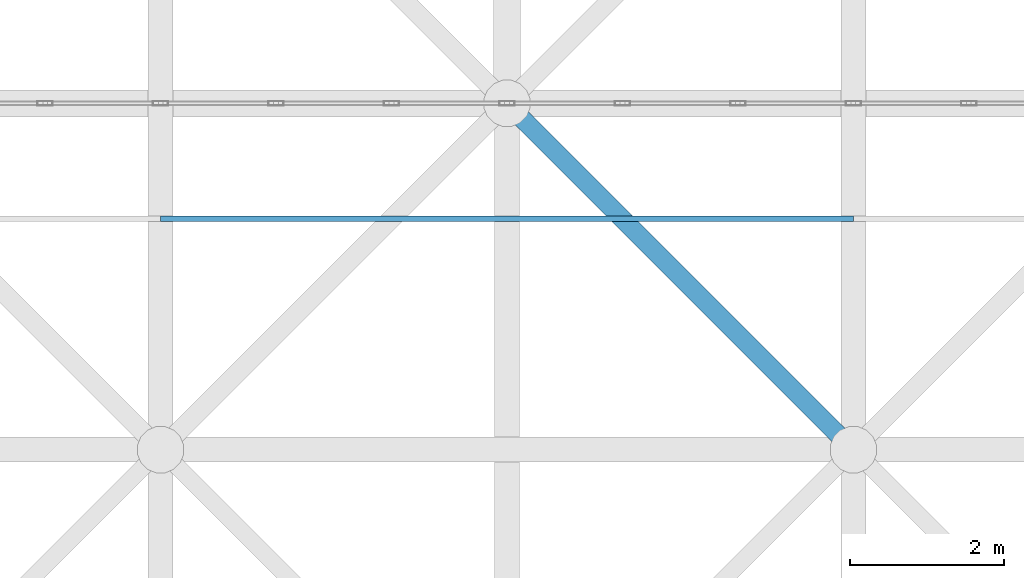
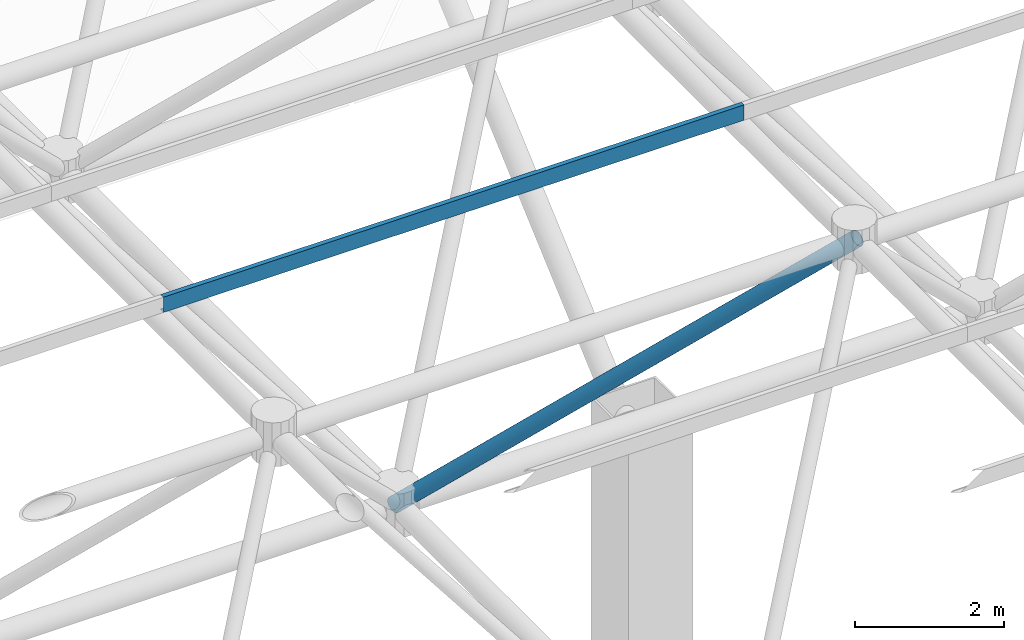
# One storey, part 160 of 437: 2 members.
"""IFC4 building model written with IfcOpenShell, lengths in metres."""

from ifc_helpers import new_model, si_unit, direction, frame, origin, origin_2d, place, context, subcontext, project, spatial, polyline, hollow_circle, outline, extrude, material, material_profile, profile_set, type_object, element, save


model = new_model("IFC4")

# Units and contexts
model_context = context("Model", 3, precision=1e-05, world=origin(), true_north=direction((0.0, 1.0)))
body_context = subcontext(model_context, "Body", "Model", "MODEL_VIEW")
ifc_project = project(units=[si_unit("LENGTHUNIT", "METRE"), si_unit("AREAUNIT", "SQUARE_METRE"), si_unit("VOLUMEUNIT", "CUBIC_METRE"), si_unit("PLANEANGLEUNIT", "RADIAN"), si_unit("MASSUNIT", "GRAM", prefix="KILO")], contexts=[model_context])

# Site, building, storey
site_placement = place(None, origin())
site = spatial("IfcSite", under=ifc_project, at=site_placement, CompositionType="ELEMENT")
building_placement = place(site_placement, origin())
building = spatial("IfcBuilding", under=site, at=building_placement, Name="Opaline Strait Convention Centre", CompositionType="ELEMENT")
storey_placement = place(building_placement, frame((0.0, 0.0, 11.5)))
storey = spatial("IfcBuildingStorey", under=building, at=storey_placement, Name="L02", CompositionType="ELEMENT", Elevation=11.5)

# Members
ifc_material = material(Name="Steel Q355B", Category="steel")
ifc_material_profile_1 = material_profile(ifc_material, outline(polyline([(-0.03759765625, -0.125), (0.03759765625, -0.125), (0.03759765625, -0.10498046875), (0.034912109375, -0.10498046875), (0.034912109375, -0.12255859375), (-0.034912109375, -0.12255859375), (-0.034912109375, 0.12255859375), (0.034912109375, 0.12255859375), (0.034912109375, 0.10498046875), (0.03759765625, 0.10498046875), (0.03759765625, 0.125), (-0.03759765625, 0.125), (-0.03759765625, -0.125)])), Name="C 250x75x20x2.5")
ifc_profile_set_1 = profile_set([ifc_material_profile_1], Name="Steel Q355B")
member_type_1 = type_object("IfcMemberType", Name="Roof purlin C 250x75x20x2.5", PredefinedType="PURLIN", material=ifc_profile_set_1)
member_1_placement = place(storey_placement, frame((157.5, 142.5, 18.257080078125), z_axis=(1.0, 0.0, 0.0), x_axis=(0.0, 1.0, 0.0)))
element("IfcMember", 1, at=member_1_placement, inside=storey, type_object=member_type_1, Name="EXB-RF-P-8-11-0", PredefinedType="PURLIN", context=body_context, shape_type="SweptSolid", body=[
    extrude(outline(polyline([(-0.03759765625, -0.125), (0.03759765625, -0.125), (0.03759765625, -0.10498046875), (0.034912109375, -0.10498046875), (0.034912109375, -0.12255859375), (-0.034912109375, -0.12255859375), (-0.034912109375, 0.12255859375), (0.034912109375, 0.12255859375), (0.034912109375, 0.10498046875), (0.03759765625, 0.10498046875), (0.03759765625, 0.125), (-0.03759765625, 0.125), (-0.03759765625, -0.125)])), origin(), (0.0, 0.0, 1.0), 9.0),
])
ifc_material_profile_2 = material_profile(ifc_material, hollow_circle(Radius=0.12255859375, WallThickness=0.011962890625, at=origin_2d()), Name="CHS 245x12")
ifc_profile_set_2 = profile_set([ifc_material_profile_2], Name="Steel Q355B")
member_type_2 = type_object("IfcMemberType", Name="Space frame web CHS 245x12", PredefinedType="BRACE", material=ifc_profile_set_2)
member_2_placement = place(storey_placement, frame((166.52685546875, 139.47314453125, 18.004150390625), z_axis=(-0.536178220346, 0.536178220346, -0.6519400525), x_axis=(-0.707106781187, -0.707106781187, 0.0)))
element("IfcMember", 2, at=member_2_placement, inside=storey, type_object=member_type_2, Name="EXB-RF-W-8-11-10", PredefinedType="BRACE", context=body_context, shape_type="SweptSolid", body=[
    extrude(hollow_circle(Radius=0.12255859375, WallThickness=0.011962890625, at=origin_2d()), origin(), (0.0, 0.0, 1.0), 8.492919921875),
])

save(model, "model.ifc")
